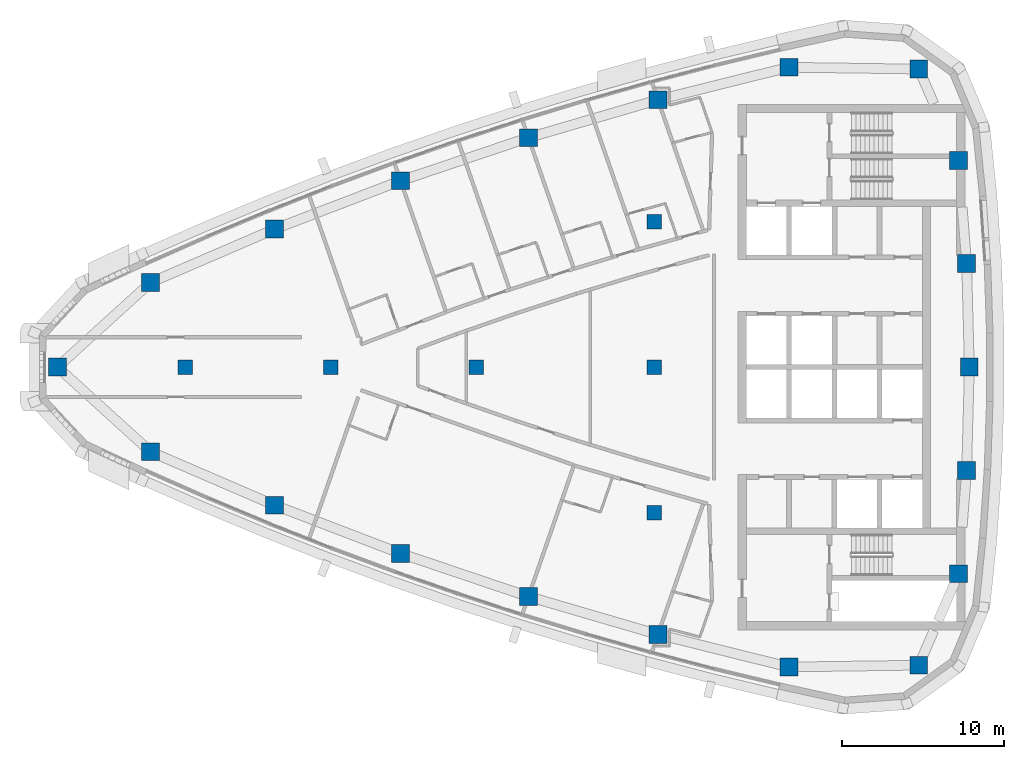
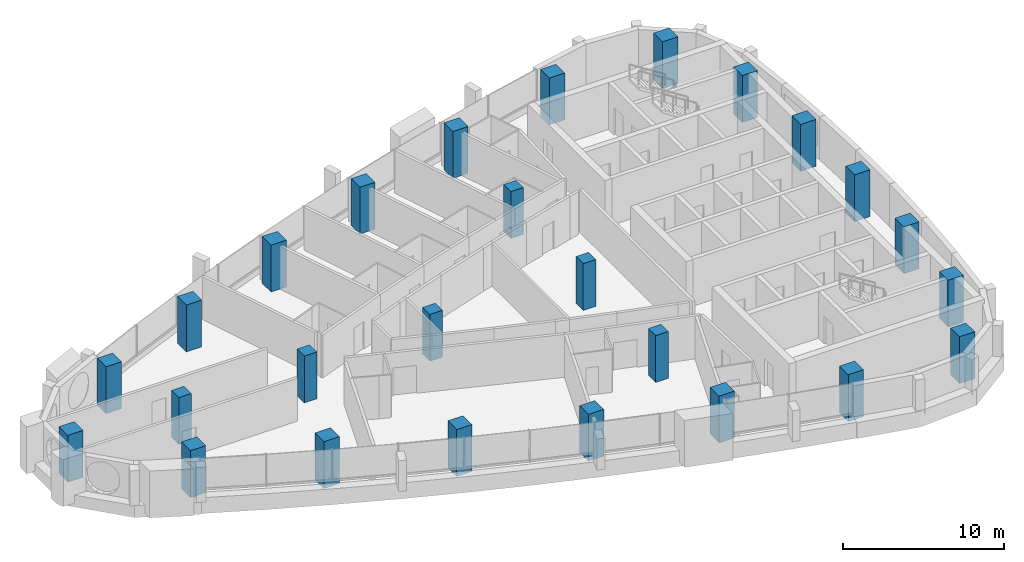
# One storey, part 1 of 14: 26 columns.
"""IFC4 building model written with IfcOpenShell, lengths in metres."""

from ifc_helpers import new_model, si_unit, direction, frame, origin, origin_2d, place, context, subcontext, project, spatial, rectangle, extrude, material, material_profile, profile_set, type_object, element, save


model = new_model("IFC4")

# Units and contexts
model_context = context("Model", 3, precision=1e-05, world=origin(), true_north=direction((0.0, 1.0)))
body_context = subcontext(model_context, "Body", "Model", "MODEL_VIEW")
ifc_project = project(units=[si_unit("LENGTHUNIT", "METRE"), si_unit("AREAUNIT", "SQUARE_METRE"), si_unit("VOLUMEUNIT", "CUBIC_METRE"), si_unit("PLANEANGLEUNIT", "RADIAN"), si_unit("MASSUNIT", "GRAM", prefix="KILO")], contexts=[model_context])

# Site, building, storey
site_placement = place(None, origin())
site = spatial("IfcSite", under=ifc_project, at=site_placement, CompositionType="ELEMENT")
building_placement = place(site_placement, origin())
building = spatial("IfcBuilding", under=site, at=building_placement, Name="Ostrand Prow Hotel Tower", CompositionType="ELEMENT")
storey_placement = place(building_placement, frame((0.0, 0.0, 289.199951171875)))
storey = spatial("IfcBuildingStorey", under=building, at=storey_placement, Name="L73", CompositionType="ELEMENT", Elevation=289.199951171875)

# Columns
ifc_material_1 = material(Name="Concrete C50/60", Category="concrete")
ifc_material_profile_1 = material_profile(ifc_material_1, rectangle(XDim=0.89990234375, YDim=0.89990234375, at=origin_2d()), Name="RC 900x900")
ifc_profile_set_1 = profile_set([ifc_material_profile_1], Name="Concrete C50/60")
column_type_1 = type_object("IfcColumnType", Name="Interior column 900x900 C50/60", PredefinedType="COLUMN", material=ifc_profile_set_1)
for number, where, z_axis, x_axis, name in (
    (1, (16.0, 0.0, 0.0), (0.0, 0.0, 1.0), (1.0, 0.0, 0.0), "Interior column 16C0"),
    (2, (25.0, 0.0, 0.0), (0.0, 0.0, 1.0), (1.0, 0.0, 0.0), "Interior column 25C0"),
    (3, (34.0, 0.0, 0.0), (0.0, 0.0, 1.0), (1.0, 0.0, 0.0), "Interior column 34C0"),
    (4, (45.0, -9.0, 0.0), (0.0, 0.0, 1.0), (1.0, 0.0, 0.0), "Interior column 45S9"),
    (5, (45.0, 0.0, 0.0), (0.0, 0.0, 1.0), (1.0, 0.0, 0.0), "Interior column 45C0"),
    (6, (45.0, 9.0, 0.0), (0.0, 0.0, 1.0), (1.0, 0.0, 0.0), "Interior column 45N9"),
):
    element("IfcColumn", number, at=place(storey_placement, frame(where, z_axis=z_axis, x_axis=x_axis)), inside=storey, type_object=column_type_1, Name=name, PredefinedType="COLUMN", context=body_context, shape_type="SweptSolid", body=[
        extrude(rectangle(XDim=0.89990234375, YDim=0.89990234375, at=origin_2d()), origin(), (0.0, 0.0, 1.0), 3.550048828125),
    ])
ifc_material_2 = material(Name="Concrete C50/60", Category="concrete")
ifc_material_profile_2 = material_profile(ifc_material_2, rectangle(XDim=1.10009765625, YDim=1.10009765625, at=origin_2d()), Name="RC 1100x1100")
ifc_profile_set_2 = profile_set([ifc_material_profile_2], Name="Concrete C50/60")
column_type_2 = type_object("IfcColumnType", Name="Stone-faced mega column 1100x1100 C50/60", PredefinedType="COLUMN", material=ifc_profile_set_2)
for number, where, z_axis, x_axis, name in (
    (7, (8.082763671875, 0.0, 0.0), (0.0, 0.0, 1.0), (1.0, 0.0, 0.0), "Mega column P"),
    (8, (13.846435546875, -5.23681640625, 0.0), (0.0, 0.0, 1.0), (1.0, 0.0, 0.0), "Mega column S1"),
    (9, (21.51416015625, -8.5400390625, 0.0), (0.0, 0.0, 1.0), (1.0, 0.0, 0.0), "Mega column S2"),
    (10, (29.31005859375, -11.528076171875, 0.0), (0.0, 0.0, 1.0), (1.0, 0.0, 0.0), "Mega column S3"),
    (11, (37.22119140625, -14.19580078125, 0.0), (0.0, 0.0, 1.0), (1.0, 0.0, 0.0), "Mega column S4"),
    (12, (45.234619140625, -16.53857421875, 0.0), (0.0, 0.0, 1.0), (1.0, 0.0, 0.0), "Mega column S5"),
    (13, (53.3369140625, -18.552978515625, 0.0), (0.0, 0.0, 1.0), (1.0, 0.0, 0.0), "Mega column S6"),
    (14, (61.374267578125, -18.439697265625, 0.0), (0.0, 0.0, 1.0), (1.0, 0.0, 0.0), "Mega column SE"),
    (15, (63.831787109375, -12.7890625, 0.0), (0.0, 0.0, 1.0), (1.0, 0.0, 0.0), "Mega column B1"),
    (16, (64.332763671875, -6.4033203125, 0.0), (0.0, 0.0, 1.0), (1.0, 0.0, 0.0), "Mega column B2"),
    (17, (64.5, 0.0, 0.0), (0.0, 0.0, 1.0), (1.0, 0.0, 0.0), "Mega column B3"),
    (18, (64.332763671875, 6.4033203125, 0.0), (0.0, 0.0, 1.0), (1.0, 0.0, 0.0), "Mega column B4"),
    (19, (63.831787109375, 12.7890625, 0.0), (0.0, 0.0, 1.0), (1.0, 0.0, 0.0), "Mega column B5"),
    (20, (61.374267578125, 18.439697265625, 0.0), (0.0, 0.0, 1.0), (1.0, 0.0, 0.0), "Mega column NE"),
    (21, (53.3369140625, 18.552978515625, 0.0), (0.0, 0.0, 1.0), (1.0, 0.0, 0.0), "Mega column N1"),
    (22, (45.234619140625, 16.53857421875, 0.0), (0.0, 0.0, 1.0), (1.0, 0.0, 0.0), "Mega column N2"),
    (23, (37.22119140625, 14.19580078125, 0.0), (0.0, 0.0, 1.0), (1.0, 0.0, 0.0), "Mega column N3"),
    (24, (29.31005859375, 11.528076171875, 0.0), (0.0, 0.0, 1.0), (1.0, 0.0, 0.0), "Mega column N4"),
    (25, (21.51416015625, 8.5400390625, 0.0), (0.0, 0.0, 1.0), (1.0, 0.0, 0.0), "Mega column N5"),
    (26, (13.846435546875, 5.23681640625, 0.0), (0.0, 0.0, 1.0), (1.0, 0.0, 0.0), "Mega column N6"),
):
    element("IfcColumn", number, at=place(storey_placement, frame(where, z_axis=z_axis, x_axis=x_axis)), inside=storey, type_object=column_type_2, Name=name, PredefinedType="COLUMN", context=body_context, shape_type="SweptSolid", body=[
        extrude(rectangle(XDim=1.10009765625, YDim=1.10009765625, at=origin_2d()), origin(), (0.0, 0.0, 1.0), 3.550048828125),
    ])

save(model, "model.ifc")
